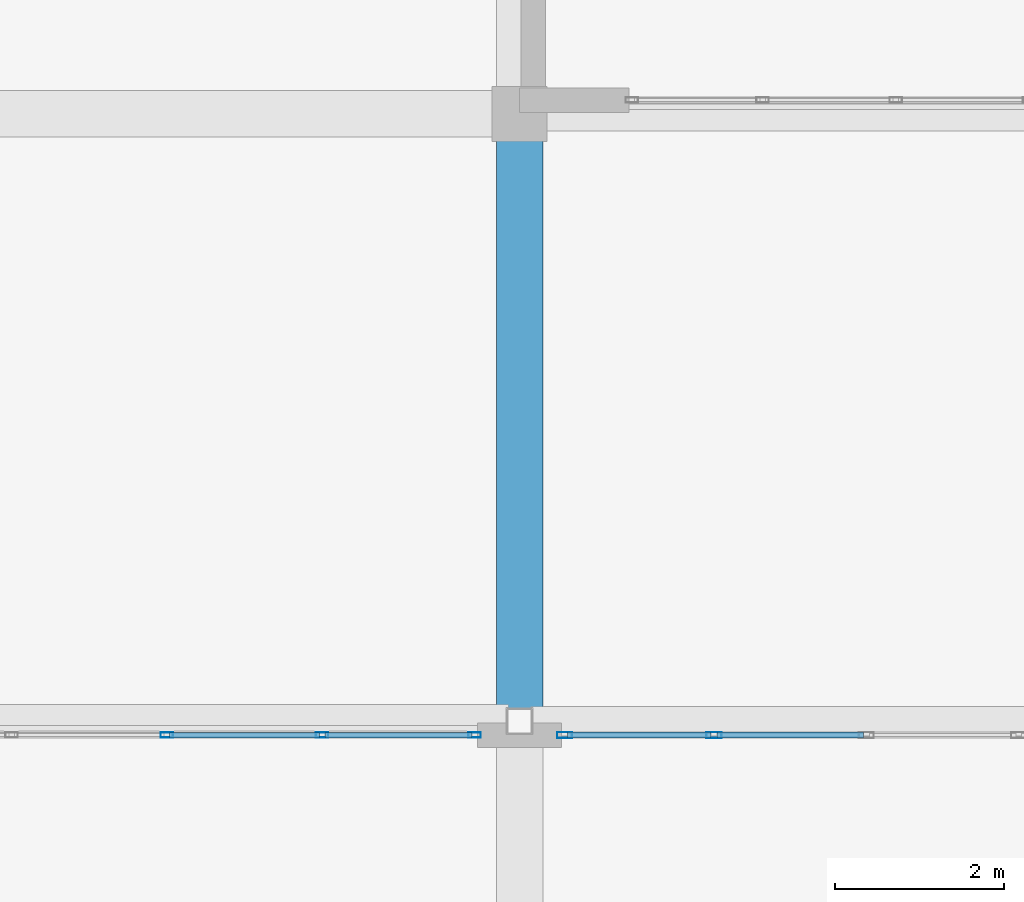
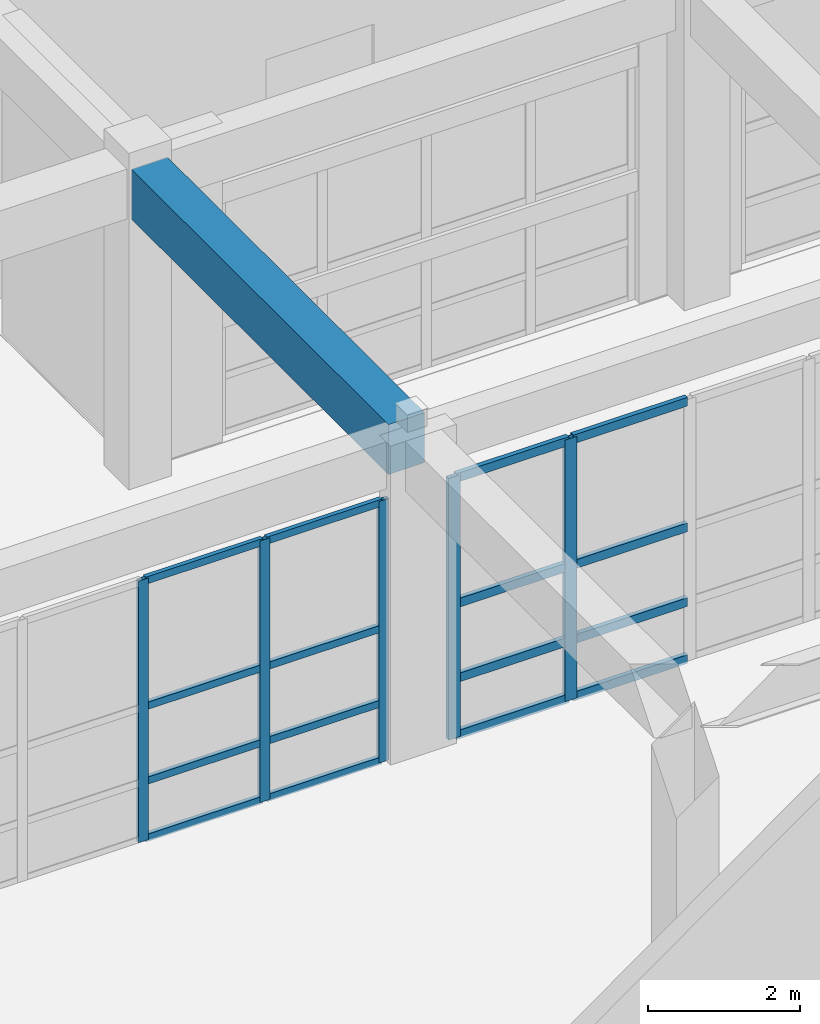
# One storey, part 75 of 148: 21 members, 1 beam, 2 elements without a shape of their own.
"""IFC4 building model written with IfcOpenShell, lengths in metres."""

from ifc_helpers import new_model, si_unit, direction, frame, origin, origin_2d, place, context, subcontext, project, spatial, rectangle, hollow_rectangle, extrude, material, layer, layer_set, material_profile, profile_set, type_object, element, aggregate, save


model = new_model("IFC4")

# Units and contexts
model_context = context("Model", 3, precision=1e-05, world=origin(), true_north=direction((0.0, 1.0)))
body_context = subcontext(model_context, "Body", "Model", "MODEL_VIEW")
ifc_project = project(units=[si_unit("LENGTHUNIT", "METRE"), si_unit("AREAUNIT", "SQUARE_METRE"), si_unit("VOLUMEUNIT", "CUBIC_METRE"), si_unit("PLANEANGLEUNIT", "RADIAN"), si_unit("MASSUNIT", "GRAM", prefix="KILO")], contexts=[model_context])

# Site, building, storey
site_placement = place(None, origin())
site = spatial("IfcSite", under=ifc_project, at=site_placement, CompositionType="ELEMENT")
building_placement = place(site_placement, origin())
building = spatial("IfcBuilding", under=site, at=building_placement, Name="Quendrovan Civic Courthouse", CompositionType="ELEMENT")
storey_placement = place(building_placement, origin())
storey = spatial("IfcBuildingStorey", under=building, at=storey_placement, Name="L01", CompositionType="ELEMENT", Elevation=0.0)

# Beam
ifc_material_1 = material(Name="Concrete C40/50", Category="concrete")
ifc_material_profile_1 = material_profile(ifc_material_1, rectangle(XDim=0.550048828125, YDim=0.800048828125, at=origin_2d()), Name="RC-BM-550x800")
ifc_profile_set_1 = profile_set([ifc_material_profile_1], Name="Concrete C40/50")
beam_type = type_object("IfcBeamType", Name="BM-RC800", PredefinedType="BEAM", material=ifc_profile_set_1)
beam_placement = place(storey_placement, frame((100.800048828125, 80.530029296875, 4.719970703125), z_axis=(0.0, 1.0, 0.0), x_axis=(-1.0, 0.0, 0.0)))
element("IfcBeam", 1, at=beam_placement, inside=storey, type_object=beam_type, Name="L01 Girder Y0453", PredefinedType="BEAM", context=body_context, shape_type="SweptSolid", body=[
    extrude(rectangle(XDim=0.550048828125, YDim=0.800048828125, at=origin_2d()), origin(), (0.0, 0.0, 1.0), 6.764892578125),
])

# Curtain wall, members
ifc_material_2 = material(Name="Bronze anodised aluminium and low-E glass", Category="aluminium")
ifc_layer_1 = layer(ifc_material_2, 0.179931640625, Name="Bronze anodised aluminium and low-E glass")
ifc_layer_set_1 = layer_set([ifc_layer_1], Name="Bronze anodised aluminium and low-E glass")
curtain_wall_type_1 = type_object("IfcCurtainWallType", Name="CW-U72x42", PredefinedType="USERDEFINED", material=ifc_layer_set_1)
curtain_wall_1_placement = place(storey_placement, origin())
curtain_wall_1 = element("IfcCurtainWall", 2, at=curtain_wall_1_placement, inside=storey, type_object=curtain_wall_type_1, Name="L01 Unitised Hurricane Curtain Wall CW-054", ObjectType="UNITISED CURTAIN WALL", PredefinedType="USERDEFINED")
ifc_material_3 = material(Name="Bronze anodised aluminium", Category="aluminium")
ifc_material_profile_2 = material_profile(ifc_material_3, hollow_rectangle(XDim=0.070068359375, YDim=0.179931640625, WallThickness=0.00390625, at=origin_2d()), Name="CW-MULL-70x180")
ifc_profile_set_2 = profile_set([ifc_material_profile_2], Name="Bronze anodised aluminium")
member_type_1 = type_object("IfcMemberType", Name="CW-MULL-A", PredefinedType="MULLION", material=ifc_profile_set_2)
member_1_placement = place(storey_placement, frame((101.3349609375, 80.235107421875, 0.0), z_axis=(0.0, 0.0, 1.0), x_axis=(0.0, 1.0, 0.0)))
member_1 = element("IfcMember", 3, at=member_1_placement, type_object=member_type_1, Name="CW-054 mullion 1", PredefinedType="MULLION", context=body_context, shape_type="SweptSolid", body=[
    extrude(hollow_rectangle(XDim=0.070068359375, YDim=0.179931640625, WallThickness=0.00390625, at=origin_2d()), origin(), (0.0, 0.0, 1.0), 4.199951171875),
])
member_2_placement = place(storey_placement, frame((103.106201171875, 80.235107421875, 0.0), z_axis=(0.0, 0.0, 1.0), x_axis=(0.0, 1.0, 0.0)))
member_2 = element("IfcMember", 4, at=member_2_placement, type_object=member_type_1, Name="CW-054 mullion 2", PredefinedType="MULLION", context=body_context, shape_type="SweptSolid", body=[
    extrude(hollow_rectangle(XDim=0.070068359375, YDim=0.179931640625, WallThickness=0.00390625, at=origin_2d()), origin(), (0.0, 0.0, 1.0), 4.199951171875),
])

ifc_layer_2 = layer(ifc_material_2, 0.179931640625, Name="Bronze anodised aluminium and low-E glass")
ifc_layer_set_2 = layer_set([ifc_layer_2], Name="Bronze anodised aluminium and low-E glass")
curtain_wall_type_2 = type_object("IfcCurtainWallType", Name="CW-U74x42", PredefinedType="USERDEFINED", material=ifc_layer_set_2)
curtain_wall_2_placement = place(storey_placement, origin())
curtain_wall_2 = element("IfcCurtainWall", 5, at=curtain_wall_2_placement, inside=storey, type_object=curtain_wall_type_2, Name="L01 Unitised Hurricane Curtain Wall CW-053", ObjectType="UNITISED CURTAIN WALL", PredefinedType="USERDEFINED")
ifc_material_profile_3 = material_profile(ifc_material_3, hollow_rectangle(XDim=0.06494140625, YDim=0.14990234375, WallThickness=0.00390625, at=origin_2d()), Name="CW-MULL-65x150")
ifc_profile_set_3 = profile_set([ifc_material_profile_3], Name="Bronze anodised aluminium")
member_type_2 = type_object("IfcMemberType", Name="CW-MULL-B", PredefinedType="MULLION", material=ifc_profile_set_3)
member_3_placement = place(storey_placement, frame((96.618408203125, 80.235107421875, 0.0), z_axis=(0.0, 0.0, 1.0), x_axis=(0.0, 1.0, 0.0)))
member_3 = element("IfcMember", 6, at=member_3_placement, type_object=member_type_2, Name="CW-053 mullion 3", PredefinedType="MULLION", context=body_context, shape_type="SweptSolid", body=[
    extrude(hollow_rectangle(XDim=0.06494140625, YDim=0.14990234375, WallThickness=0.00390625, at=origin_2d()), origin(), (0.0, 0.0, 1.0), 4.199951171875),
])
member_4_placement = place(storey_placement, frame((98.459228515625, 80.235107421875, 0.0), z_axis=(0.0, 0.0, 1.0), x_axis=(0.0, 1.0, 0.0)))
member_4 = element("IfcMember", 7, at=member_4_placement, type_object=member_type_2, Name="CW-053 mullion 4", PredefinedType="MULLION", context=body_context, shape_type="SweptSolid", body=[
    extrude(hollow_rectangle(XDim=0.06494140625, YDim=0.14990234375, WallThickness=0.00390625, at=origin_2d()), origin(), (0.0, 0.0, 1.0), 4.199951171875),
])
member_5_placement = place(storey_placement, frame((100.267578125, 80.235107421875, 0.0), z_axis=(0.0, 0.0, 1.0), x_axis=(0.0, 1.0, 0.0)))
member_5 = element("IfcMember", 8, at=member_5_placement, type_object=member_type_2, Name="CW-053 mullion 5", PredefinedType="MULLION", context=body_context, shape_type="SweptSolid", body=[
    extrude(hollow_rectangle(XDim=0.06494140625, YDim=0.14990234375, WallThickness=0.00390625, at=origin_2d()), origin(), (0.0, 0.0, 1.0), 4.199951171875),
])

# Member
ifc_material_profile_4 = material_profile(ifc_material_3, hollow_rectangle(XDim=0.070068359375, YDim=0.139892578125, WallThickness=0.00390625, at=origin_2d()), Name="CW-TRAN-70x140")
ifc_profile_set_4 = profile_set([ifc_material_profile_4], Name="Bronze anodised aluminium")
member_type_3 = type_object("IfcMemberType", Name="CW-TRAN-A", PredefinedType="USERDEFINED", material=ifc_profile_set_4)
member_6_placement = place(storey_placement, frame((101.3701171875, 80.235107421875, 0.034912109375), z_axis=(1.0, 0.0, 0.0), x_axis=(0.0, 1.0, 0.0)))
member_6 = element("IfcMember", 9, at=member_6_placement, type_object=member_type_3, Name="CW-054 transom 1.1", ObjectType="TRANSOM", PredefinedType="USERDEFINED", context=body_context, shape_type="SweptSolid", body=[
    extrude(hollow_rectangle(XDim=0.070068359375, YDim=0.139892578125, WallThickness=0.00390625, at=origin_2d()), origin(), (0.0, 0.0, 1.0), 1.701171875),
])

member_7_placement = place(storey_placement, frame((101.3701171875, 80.235107421875, 0.949951171875), z_axis=(1.0, 0.0, 0.0), x_axis=(0.0, 1.0, 0.0)))
member_7 = element("IfcMember", 10, at=member_7_placement, type_object=member_type_3, Name="CW-054 transom 1.2", ObjectType="TRANSOM", PredefinedType="USERDEFINED", context=body_context, shape_type="SweptSolid", body=[
    extrude(hollow_rectangle(XDim=0.070068359375, YDim=0.139892578125, WallThickness=0.00390625, at=origin_2d()), origin(), (0.0, 0.0, 1.0), 1.701171875),
])

member_8_placement = place(storey_placement, frame((101.3701171875, 80.235107421875, 2.14990234375), z_axis=(1.0, 0.0, 0.0), x_axis=(0.0, 1.0, 0.0)))
member_8 = element("IfcMember", 11, at=member_8_placement, type_object=member_type_3, Name="CW-054 transom 1.3", ObjectType="TRANSOM", PredefinedType="USERDEFINED", context=body_context, shape_type="SweptSolid", body=[
    extrude(hollow_rectangle(XDim=0.070068359375, YDim=0.139892578125, WallThickness=0.00390625, at=origin_2d()), origin(), (0.0, 0.0, 1.0), 1.701171875),
])

member_9_placement = place(storey_placement, frame((101.3701171875, 80.235107421875, 4.1650390625), z_axis=(1.0, 0.0, 0.0), x_axis=(0.0, 1.0, 0.0)))
member_9 = element("IfcMember", 12, at=member_9_placement, type_object=member_type_3, Name="CW-054 transom 1.4", ObjectType="TRANSOM", PredefinedType="USERDEFINED", context=body_context, shape_type="SweptSolid", body=[
    extrude(hollow_rectangle(XDim=0.070068359375, YDim=0.139892578125, WallThickness=0.00390625, at=origin_2d()), origin(), (0.0, 0.0, 1.0), 1.701171875),
])

member_10_placement = place(storey_placement, frame((103.141357421875, 80.235107421875, 0.034912109375), z_axis=(1.0, 0.0, 0.0), x_axis=(0.0, 1.0, 0.0)))
member_10 = element("IfcMember", 13, at=member_10_placement, type_object=member_type_3, Name="CW-054 transom 2.1", ObjectType="TRANSOM", PredefinedType="USERDEFINED", context=body_context, shape_type="SweptSolid", body=[
    extrude(hollow_rectangle(XDim=0.070068359375, YDim=0.139892578125, WallThickness=0.00390625, at=origin_2d()), origin(), (0.0, 0.0, 1.0), 1.736083984375),
])

member_11_placement = place(storey_placement, frame((103.141357421875, 80.235107421875, 0.949951171875), z_axis=(1.0, 0.0, 0.0), x_axis=(0.0, 1.0, 0.0)))
member_11 = element("IfcMember", 14, at=member_11_placement, type_object=member_type_3, Name="CW-054 transom 2.2", ObjectType="TRANSOM", PredefinedType="USERDEFINED", context=body_context, shape_type="SweptSolid", body=[
    extrude(hollow_rectangle(XDim=0.070068359375, YDim=0.139892578125, WallThickness=0.00390625, at=origin_2d()), origin(), (0.0, 0.0, 1.0), 1.736083984375),
])

member_12_placement = place(storey_placement, frame((103.141357421875, 80.235107421875, 2.14990234375), z_axis=(1.0, 0.0, 0.0), x_axis=(0.0, 1.0, 0.0)))
member_12 = element("IfcMember", 15, at=member_12_placement, type_object=member_type_3, Name="CW-054 transom 2.3", ObjectType="TRANSOM", PredefinedType="USERDEFINED", context=body_context, shape_type="SweptSolid", body=[
    extrude(hollow_rectangle(XDim=0.070068359375, YDim=0.139892578125, WallThickness=0.00390625, at=origin_2d()), origin(), (0.0, 0.0, 1.0), 1.736083984375),
])

member_13_placement = place(storey_placement, frame((103.141357421875, 80.235107421875, 4.1650390625), z_axis=(1.0, 0.0, 0.0), x_axis=(0.0, 1.0, 0.0)))
member_13 = element("IfcMember", 16, at=member_13_placement, type_object=member_type_3, Name="CW-054 transom 2.4", ObjectType="TRANSOM", PredefinedType="USERDEFINED", context=body_context, shape_type="SweptSolid", body=[
    extrude(hollow_rectangle(XDim=0.070068359375, YDim=0.139892578125, WallThickness=0.00390625, at=origin_2d()), origin(), (0.0, 0.0, 1.0), 1.736083984375),
])

aggregate(curtain_wall_1, [member_1, member_2, member_6, member_7, member_8, member_9, member_10, member_11, member_12, member_13])

ifc_material_profile_5 = material_profile(ifc_material_3, hollow_rectangle(XDim=0.06494140625, YDim=0.114990234375, WallThickness=0.00390625, at=origin_2d()), Name="CW-TRAN-65x115")
ifc_profile_set_5 = profile_set([ifc_material_profile_5], Name="Bronze anodised aluminium")
member_type_4 = type_object("IfcMemberType", Name="CW-TRAN-B", PredefinedType="USERDEFINED", material=ifc_profile_set_5)
member_14_placement = place(storey_placement, frame((96.65087890625, 80.235107421875, 0.032470703125), z_axis=(1.0, 0.0, 0.0), x_axis=(0.0, 1.0, 0.0)))
member_14 = element("IfcMember", 17, at=member_14_placement, type_object=member_type_4, Name="CW-053 transom 3.1", ObjectType="TRANSOM", PredefinedType="USERDEFINED", context=body_context, shape_type="SweptSolid", body=[
    extrude(hollow_rectangle(XDim=0.06494140625, YDim=0.114990234375, WallThickness=0.00390625, at=origin_2d()), origin(), (0.0, 0.0, 1.0), 1.77587890625),
])

member_15_placement = place(storey_placement, frame((96.65087890625, 80.235107421875, 0.949951171875), z_axis=(1.0, 0.0, 0.0), x_axis=(0.0, 1.0, 0.0)))
member_15 = element("IfcMember", 18, at=member_15_placement, type_object=member_type_4, Name="CW-053 transom 3.2", ObjectType="TRANSOM", PredefinedType="USERDEFINED", context=body_context, shape_type="SweptSolid", body=[
    extrude(hollow_rectangle(XDim=0.06494140625, YDim=0.114990234375, WallThickness=0.00390625, at=origin_2d()), origin(), (0.0, 0.0, 1.0), 1.77587890625),
])

member_16_placement = place(storey_placement, frame((96.65087890625, 80.235107421875, 2.14990234375), z_axis=(1.0, 0.0, 0.0), x_axis=(0.0, 1.0, 0.0)))
member_16 = element("IfcMember", 19, at=member_16_placement, type_object=member_type_4, Name="CW-053 transom 3.3", ObjectType="TRANSOM", PredefinedType="USERDEFINED", context=body_context, shape_type="SweptSolid", body=[
    extrude(hollow_rectangle(XDim=0.06494140625, YDim=0.114990234375, WallThickness=0.00390625, at=origin_2d()), origin(), (0.0, 0.0, 1.0), 1.77587890625),
])

member_17_placement = place(storey_placement, frame((96.65087890625, 80.235107421875, 4.16748046875), z_axis=(1.0, 0.0, 0.0), x_axis=(0.0, 1.0, 0.0)))
member_17 = element("IfcMember", 20, at=member_17_placement, type_object=member_type_4, Name="CW-053 transom 3.4", ObjectType="TRANSOM", PredefinedType="USERDEFINED", context=body_context, shape_type="SweptSolid", body=[
    extrude(hollow_rectangle(XDim=0.06494140625, YDim=0.114990234375, WallThickness=0.00390625, at=origin_2d()), origin(), (0.0, 0.0, 1.0), 1.77587890625),
])

member_18_placement = place(storey_placement, frame((98.49169921875, 80.235107421875, 0.032470703125), z_axis=(1.0, 0.0, 0.0), x_axis=(0.0, 1.0, 0.0)))
member_18 = element("IfcMember", 21, at=member_18_placement, type_object=member_type_4, Name="CW-053 transom 4.1", ObjectType="TRANSOM", PredefinedType="USERDEFINED", context=body_context, shape_type="SweptSolid", body=[
    extrude(hollow_rectangle(XDim=0.06494140625, YDim=0.114990234375, WallThickness=0.00390625, at=origin_2d()), origin(), (0.0, 0.0, 1.0), 1.743408203125),
])

member_19_placement = place(storey_placement, frame((98.49169921875, 80.235107421875, 0.949951171875), z_axis=(1.0, 0.0, 0.0), x_axis=(0.0, 1.0, 0.0)))
member_19 = element("IfcMember", 22, at=member_19_placement, type_object=member_type_4, Name="CW-053 transom 4.2", ObjectType="TRANSOM", PredefinedType="USERDEFINED", context=body_context, shape_type="SweptSolid", body=[
    extrude(hollow_rectangle(XDim=0.06494140625, YDim=0.114990234375, WallThickness=0.00390625, at=origin_2d()), origin(), (0.0, 0.0, 1.0), 1.743408203125),
])

member_20_placement = place(storey_placement, frame((98.49169921875, 80.235107421875, 2.14990234375), z_axis=(1.0, 0.0, 0.0), x_axis=(0.0, 1.0, 0.0)))
member_20 = element("IfcMember", 23, at=member_20_placement, type_object=member_type_4, Name="CW-053 transom 4.3", ObjectType="TRANSOM", PredefinedType="USERDEFINED", context=body_context, shape_type="SweptSolid", body=[
    extrude(hollow_rectangle(XDim=0.06494140625, YDim=0.114990234375, WallThickness=0.00390625, at=origin_2d()), origin(), (0.0, 0.0, 1.0), 1.743408203125),
])

member_21_placement = place(storey_placement, frame((98.49169921875, 80.235107421875, 4.16748046875), z_axis=(1.0, 0.0, 0.0), x_axis=(0.0, 1.0, 0.0)))
member_21 = element("IfcMember", 24, at=member_21_placement, type_object=member_type_4, Name="CW-053 transom 4.4", ObjectType="TRANSOM", PredefinedType="USERDEFINED", context=body_context, shape_type="SweptSolid", body=[
    extrude(hollow_rectangle(XDim=0.06494140625, YDim=0.114990234375, WallThickness=0.00390625, at=origin_2d()), origin(), (0.0, 0.0, 1.0), 1.743408203125),
])

aggregate(curtain_wall_2, [member_3, member_4, member_5, member_14, member_15, member_16, member_17, member_18, member_19, member_20, member_21])

save(model, "model.ifc")
